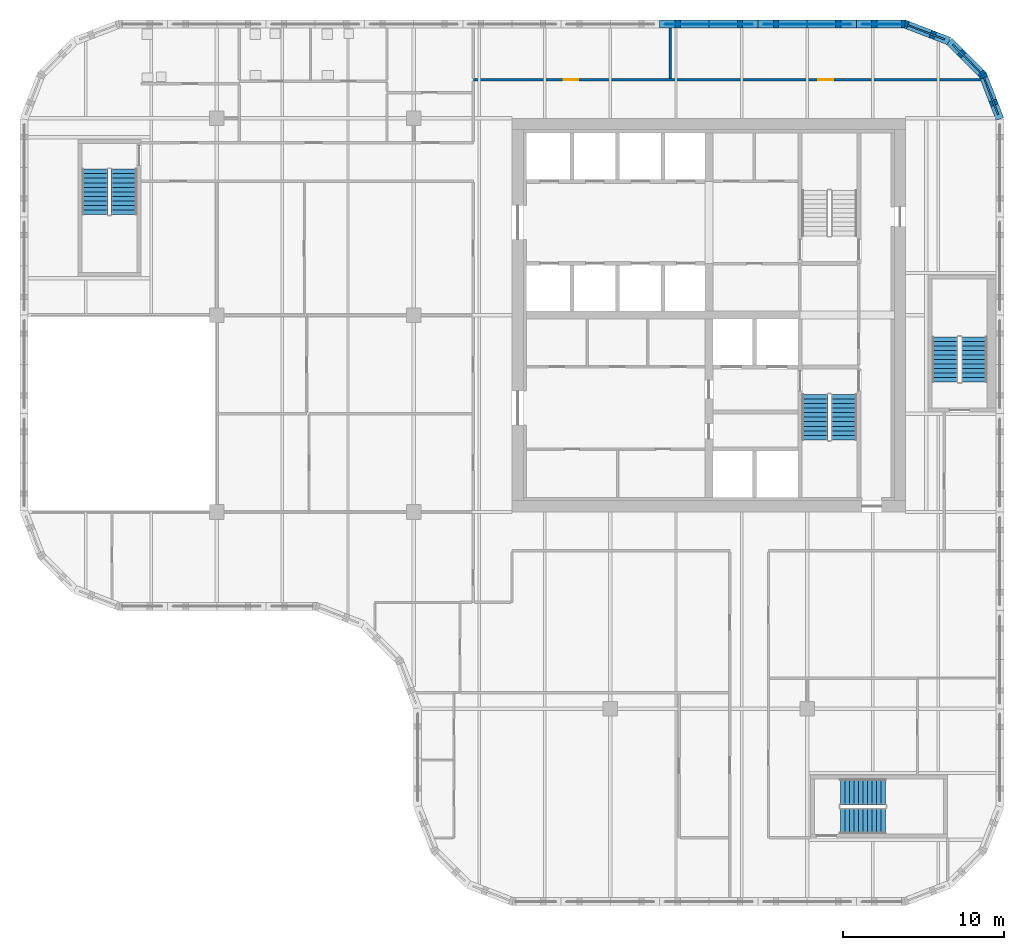
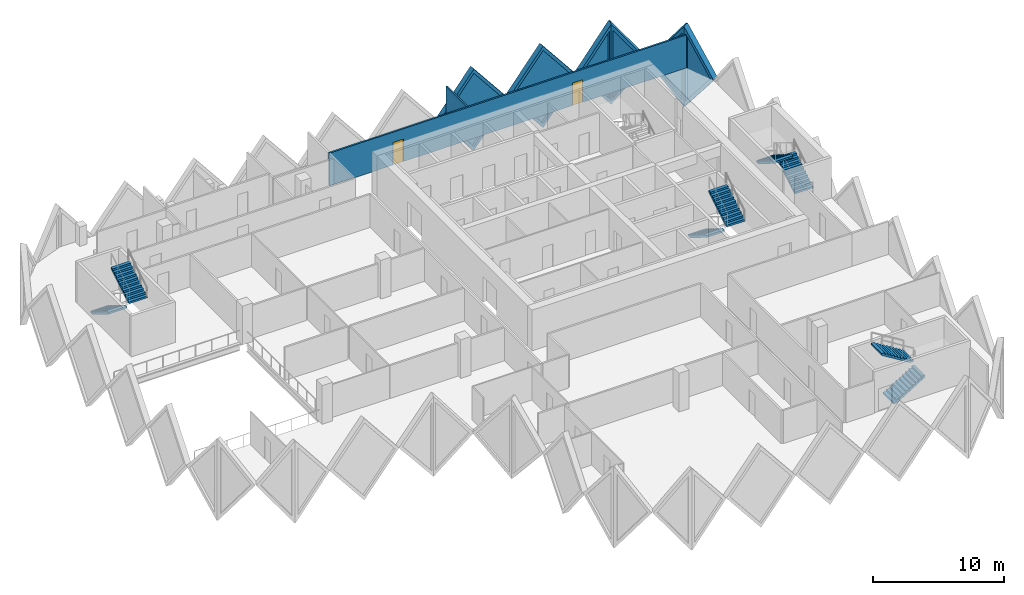
# One storey, part 10 of 13: 8 stair flights, 8 walls, 6 plates, 2 doors, 8 openings, 4 elements without a shape of their own.
"""IFC4 building model written with IfcOpenShell, lengths in metres."""

from ifc_helpers import new_model, si_unit, direction, frame, frame_2d, origin, place, context, subcontext, project, spatial, polyline, rectangle, outline, extrude, faceted_brep, source, transform, mapped, material, layer, layer_set, type_object, element, fill, aggregate, save


model = new_model("IFC4")

# Units and contexts
model_context = context("Model", 3, precision=1e-05, world=origin(), true_north=direction((0.0, 1.0)))
body_context = subcontext(model_context, "Body", "Model", "MODEL_VIEW")
ifc_project = project(units=[si_unit("LENGTHUNIT", "METRE"), si_unit("AREAUNIT", "SQUARE_METRE"), si_unit("VOLUMEUNIT", "CUBIC_METRE"), si_unit("PLANEANGLEUNIT", "RADIAN"), si_unit("MASSUNIT", "GRAM", prefix="KILO")], contexts=[model_context])

# Site, building, storey
site_placement = place(None, origin())
site = spatial("IfcSite", under=ifc_project, at=site_placement, CompositionType="ELEMENT")
building_placement = place(site_placement, origin())
building = spatial("IfcBuilding", under=site, at=building_placement, Name="Tessera Gate Towers", CompositionType="ELEMENT")
storey_placement = place(building_placement, frame((0.0, 0.0, 120.199951171875)))
storey = spatial("IfcBuildingStorey", under=building, at=storey_placement, Name="L29", CompositionType="ELEMENT", Elevation=120.199951171875)

# Wall, openings, doors
ifc_material_1 = material(Name="Gypsum board on steel studs, mineral wool", Category="steel")
ifc_layer_1 = layer(ifc_material_1, 0.14990234375)
ifc_layer_set_1 = layer_set([ifc_layer_1], Name="CORRIDOR WALL 150")
wall_type_1 = type_object("IfcWallType", Name="CORRIDOR WALL 150", PredefinedType="PARTITIONING", material=ifc_layer_set_1)
wall_1_placement = place(storey_placement, frame((28.10009765625, 51.199951171875, 0.0), z_axis=(0.0, 0.0, 1.0), x_axis=(1.0, 0.0, 0.0)))
wall_1 = element("IfcWall", 1, at=wall_1_placement, inside=storey, type_object=wall_type_1, Name="T1-L29-PW-055", PredefinedType="PARTITIONING", context=body_context, shape_type="SweptSolid", body=[
    extrude(rectangle(XDim=31.438232421875, YDim=0.14990234375, at=frame_2d((15.71923828125, 0.0))), origin(), (0.0, 0.0, 1.0), 3.067138671875),
])
shared_shape_1 = source(origin(), body_context, "Body", "SweptSolid", [
    extrude(rectangle(XDim=0.89990234375, YDim=2.10009765625, at=frame_2d((0.449951171875, 1.050048828125))), frame((0.0, 0.0849609375, 0.0), z_axis=(0.0, -1.0, 0.0), x_axis=(1.0, 0.0, 0.0)), (0.0, 0.0, 1.0), 0.169921875),
])
opening_1_placement = place(wall_1_placement, frame((5.60009765625, 0.0, 0.0)))
opening_1 = element("IfcOpeningElement", 2, at=opening_1_placement, cuts=wall_1, Name="Opening D890FD60-A10-08", PredefinedType="OPENING", context=body_context, shape_type="MappedRepresentation", body=[
    mapped(shared_shape_1, transform((0.0, 0.0, 0.0), scale=1.0)),
])
opening_2_placement = place(wall_1_placement, frame((21.39990234375, 0.0, 0.0)))
opening_2 = element("IfcOpeningElement", 3, at=opening_2_placement, cuts=wall_1, Name="Opening D890FD60-A10-09", PredefinedType="OPENING", context=body_context, shape_type="MappedRepresentation", body=[
    mapped(shared_shape_1, transform((0.0, 0.0, 0.0), scale=1.0)),
])
ifc_material_2 = material(Name="Timber door leaf in steel frame", Category="steel")
door_type = type_object("IfcDoorType", Name="CORRIDOR DOOR 900 FD60", OperationType="NOTDEFINED", PredefinedType="DOOR", material=ifc_material_2)
shared_shape_2 = source(origin(), body_context, "Body", "SweptSolid", [
    extrude(rectangle(XDim=0.89990234375, YDim=2.10009765625, at=frame_2d((0.449951171875, 1.050048828125))), frame((0.0, 0.02490234375, 0.0), z_axis=(0.0, -1.0, 0.0), x_axis=(1.0, 0.0, 0.0)), (0.0, 0.0, 1.0), 0.050048828125),
])
door_1_placement = place(opening_1_placement, origin())
door_1 = element("IfcDoor", 4, at=door_1_placement, inside=storey, type_object=door_type, Name="T1-L29-PD-027", OperationType="SINGLE_SWING_LEFT", OverallHeight=2.10009765625, OverallWidth=0.89990234375, PredefinedType="DOOR", context=body_context, shape_type="MappedRepresentation", body=[
    mapped(shared_shape_2, transform((0.0, 0.0, 0.0), scale=1.0)),
])
fill(opening_1, door_1)
door_2_placement = place(opening_2_placement, origin())
door_2 = element("IfcDoor", 5, at=door_2_placement, inside=storey, type_object=door_type, Name="T1-L29-PD-028", OperationType="SINGLE_SWING_LEFT", OverallHeight=2.10009765625, OverallWidth=0.89990234375, PredefinedType="DOOR", context=body_context, shape_type="MappedRepresentation", body=[
    mapped(shared_shape_2, transform((0.0, 0.0, 0.0), scale=1.0)),
])
fill(opening_2, door_2)

# Wall
ifc_material_3 = material(Name="Gypsum board on steel studs, mineral wool", Category="steel")
ifc_layer_2 = layer(ifc_material_3, 0.14990234375)
ifc_layer_set_2 = layer_set([ifc_layer_2], Name="TENANCY WALL 150")
wall_type_2 = type_object("IfcWallType", Name="TENANCY WALL 150", PredefinedType="PARTITIONING", material=ifc_layer_set_2)
wall_2_placement = place(storey_placement, frame((40.300048828125, 51.27587890625, 0.0), z_axis=(0.0, 0.0, 1.0), x_axis=(0.0, 1.0, 0.0)))
element("IfcWall", 6, at=wall_2_placement, inside=storey, type_object=wall_type_2, Name="T1-L29-PW-057", PredefinedType="PARTITIONING", context=body_context, shape_type="SweptSolid", body=[
    extrude(rectangle(XDim=3.1240234375, YDim=0.14990234375, at=frame_2d((1.56201171875, 0.0))), origin(), (0.0, 0.0, 1.0), 3.067138671875),
])

# Wall, opening, plate
ifc_material_4 = material(Name="Precast concrete C60/75 white", Category="concrete")
ifc_layer_3 = layer(ifc_material_4, 0.5)
ifc_layer_set_3 = layer_set([ifc_layer_3], Name="TS1 tessera")
wall_type_3 = type_object("IfcWallType", Name="TS1 tessera", PredefinedType="SOLIDWALL", material=ifc_layer_set_3)
shared_shape_3 = source(origin(), body_context, "Body", "SweptSolid", [
    extrude(outline(polyline([(3.050048828125, 0.0), (6.10009765625, 3.800048828125), (3.050048828125, 7.60009765625), (0.0, 3.800048828125), (3.050048828125, 0.0)])), frame((0.0, 0.25, 0.0), z_axis=(0.0, -1.0, 0.0), x_axis=(1.0, 0.0, 0.0)), (0.0, 0.0, 1.0), 0.5),
])
wall_3_placement = place(storey_placement, frame((51.85009765625, 54.64990234375, -3.800048828125), z_axis=(0.0, 0.0, 1.0), x_axis=(-1.0, 0.0, 0.0)))
wall_3 = element("IfcWall", 7, at=wall_3_placement, inside=storey, type_object=wall_type_3, Name="Precast tessera T1 TS1-0470", PredefinedType="SOLIDWALL", context=body_context, shape_type="MappedRepresentation", body=[
    mapped(shared_shape_3, transform((0.0, 0.0, 0.0), scale=1.0)),
])
shared_shape_4 = source(origin(), body_context, "Body", "SweptSolid", [
    extrude(outline(polyline([(3.050048828125, 0.3994140625), (5.779541015625, 3.800048828125), (3.050048828125, 7.20068359375), (0.320556640625, 3.800048828125), (3.050048828125, 0.3994140625)])), frame((0.0, 0.260009765625, 0.0), z_axis=(0.0, -1.0, 0.0), x_axis=(1.0, 0.0, 0.0)), (0.0, 0.0, 1.0), 0.52001953125),
])
opening_3_placement = place(wall_3_placement, origin())
opening_3 = element("IfcOpeningElement", 8, at=opening_3_placement, cuts=wall_3, Name="Opening T1-PL2-0960", PredefinedType="OPENING", context=body_context, shape_type="MappedRepresentation", body=[
    mapped(shared_shape_4, transform((0.0, 0.0, 0.0), scale=1.0)),
])
ifc_material_5 = material(Name="Low-e laminated glass", Category="glass")
ifc_layer_4 = layer(ifc_material_5, 0.06005859375)
ifc_layer_set_4 = layer_set([ifc_layer_4], Name="PL2 rhombic pane")
plate_type = type_object("IfcPlateType", Name="PL2 rhombic pane", PredefinedType="SHEET", material=ifc_layer_set_4)
shared_shape_5 = source(origin(), body_context, "Body", "SweptSolid", [
    extrude(outline(polyline([(3.050048828125, 0.3994140625), (5.779541015625, 3.800048828125), (3.050048828125, 7.20068359375), (0.320556640625, 3.800048828125), (3.050048828125, 0.3994140625)])), frame((0.0, 0.030029296875, 0.0), z_axis=(0.0, -1.0, 0.0), x_axis=(1.0, 0.0, 0.0)), (0.0, 0.0, 1.0), 0.06005859375),
])
plate_1_placement = place(opening_3_placement, origin())
plate_1 = element("IfcPlate", 9, at=plate_1_placement, inside=storey, type_object=plate_type, Name="Glass pane T1 PL2-0960", PredefinedType="SHEET", context=body_context, shape_type="MappedRepresentation", body=[
    mapped(shared_shape_5, transform((0.0, 0.0, 0.0), scale=1.0)),
])
fill(opening_3, plate_1)

wall_4_placement = place(storey_placement, frame((45.75, 54.64990234375, -3.800048828125), z_axis=(0.0, 0.0, 1.0), x_axis=(-1.0, 0.0, 0.0)))
wall_4 = element("IfcWall", 10, at=wall_4_placement, inside=storey, type_object=wall_type_3, Name="Precast tessera T1 TS1-0471", PredefinedType="SOLIDWALL", context=body_context, shape_type="MappedRepresentation", body=[
    mapped(shared_shape_3, transform((0.0, 0.0, 0.0), scale=1.0)),
])
opening_4_placement = place(wall_4_placement, origin())
opening_4 = element("IfcOpeningElement", 11, at=opening_4_placement, cuts=wall_4, Name="Opening T1-PL2-0961", PredefinedType="OPENING", context=body_context, shape_type="MappedRepresentation", body=[
    mapped(shared_shape_4, transform((0.0, 0.0, 0.0), scale=1.0)),
])
plate_2_placement = place(opening_4_placement, origin())
plate_2 = element("IfcPlate", 12, at=plate_2_placement, inside=storey, type_object=plate_type, Name="Glass pane T1 PL2-0961", PredefinedType="SHEET", context=body_context, shape_type="MappedRepresentation", body=[
    mapped(shared_shape_5, transform((0.0, 0.0, 0.0), scale=1.0)),
])
fill(opening_4, plate_2)

ifc_material_6 = material(Name="Precast concrete C60/75 white", Category="concrete")
ifc_layer_5 = layer(ifc_material_6, 0.5)
ifc_layer_set_5 = layer_set([ifc_layer_5], Name="TS3 corner tessera")
wall_type_4 = type_object("IfcWallType", Name="TS3 corner tessera", PredefinedType="SOLIDWALL", material=ifc_layer_set_5)
shared_shape_6 = source(origin(), body_context, "Body", "Brep", [
    faceted_brep([(2.950439453125, -0.25, 0.0), (2.9970703125, -0.25, 0.05908203125), (2.9970703125, -0.25, 7.541015625), (2.950439453125, -0.25, 7.60009765625), (0.0, -0.25, 3.800048828125), (0.052978515625, 0.25, 3.8681640625), (2.904052734375, 0.25, 7.540283203125), (2.904052734375, 0.25, 0.059814453125), (0.052978515625, 0.25, 3.73193359375), (2.950439453125, 0.00048828125, 0.0), (2.950439453125, 0.00048828125, 7.60009765625), (0.0, 0.0, 3.800048828125)], [[[0, 1, 2, 3, 4]], [[5, 6, 7, 8]], [[1, 0, 9]], [[10, 3, 2]], [[6, 5, 11, 4, 3, 10]], [[8, 7, 9, 0, 4, 11]], [[8, 11, 5]], [[1, 9, 7, 6, 10, 2]]]),
])
wall_5_placement = place(storey_placement, frame((57.606201171875, 53.588134765625, -3.800048828125), z_axis=(0.0, 0.0, 1.0), x_axis=(-0.932990326376, 0.359901446078, 0.0)))
wall_5 = element("IfcWall", 13, at=wall_5_placement, inside=storey, type_object=wall_type_4, Name="Precast corner tessera T1 TS3-0657", PredefinedType="SOLIDWALL", context=body_context, shape_type="MappedRepresentation", body=[
    mapped(shared_shape_6, transform((0.0, 0.0, 0.0), scale=1.0)),
])
shared_shape_7 = source(origin(), body_context, "Body", "SweptSolid", [
    extrude(outline(polyline([(2.75048828125, 6.934814453125), (0.31640625, 3.800048828125), (2.75048828125, 0.665283203125), (2.75048828125, 6.934814453125)])), frame((0.0, 0.260009765625, 0.0), z_axis=(0.0, -1.0, 0.0), x_axis=(1.0, 0.0, 0.0)), (0.0, 0.0, 1.0), 0.52001953125),
])
opening_5_placement = place(wall_5_placement, origin())
opening_5 = element("IfcOpeningElement", 14, at=opening_5_placement, cuts=wall_5, Name="Opening T1-PL2-0958", PredefinedType="OPENING", context=body_context, shape_type="MappedRepresentation", body=[
    mapped(shared_shape_7, transform((0.0, 0.0, 0.0), scale=1.0)),
])
shared_shape_8 = source(origin(), body_context, "Body", "SweptSolid", [
    extrude(outline(polyline([(2.75048828125, 6.934814453125), (0.31640625, 3.800048828125), (2.75048828125, 0.665283203125), (2.75048828125, 6.934814453125)])), frame((0.0, 0.030029296875, 0.0), z_axis=(0.0, -1.0, 0.0), x_axis=(1.0, 0.0, 0.0)), (0.0, 0.0, 1.0), 0.06005859375),
])
plate_3_placement = place(opening_5_placement, origin())
plate_3 = element("IfcPlate", 15, at=plate_3_placement, inside=storey, type_object=plate_type, Name="Glass pane T1 PL2-0958", PredefinedType="SHEET", context=body_context, shape_type="MappedRepresentation", body=[
    mapped(shared_shape_8, transform((0.0, 0.0, 0.0), scale=1.0)),
])
fill(opening_5, plate_3)

shared_shape_9 = source(origin(), body_context, "Body", "Brep", [
    faceted_brep([(0.046630859375, -0.25, 0.0), (3.050048828125, -0.25, 3.800048828125), (0.046630859375, -0.25, 7.60009765625), (0.0, -0.25, 7.5400390625), (0.0, -0.25, 0.06005859375), (0.09326171875, 0.25, 7.541259765625), (3.050048828125, 0.25, 3.800048828125), (0.09326171875, 0.25, 0.058837890625), (0.046630859375, 0.0, 0.0), (0.046630859375, 0.0, 7.60009765625)], [[[0, 1, 2, 3, 4]], [[5, 6, 7]], [[7, 6, 1, 0, 8]], [[6, 5, 9, 2, 1]], [[3, 2, 9]], [[8, 0, 4]], [[7, 8, 4, 3, 9, 5]]]),
])
wall_6_placement = place(storey_placement, frame((54.900146484375, 54.64990234375, -3.800048828125), z_axis=(0.0, 0.0, 1.0), x_axis=(-1.0, 0.0, 0.0)))
wall_6 = element("IfcWall", 16, at=wall_6_placement, inside=storey, type_object=wall_type_4, Name="Precast corner tessera T1 TS3-0658", PredefinedType="SOLIDWALL", context=body_context, shape_type="MappedRepresentation", body=[
    mapped(shared_shape_9, transform((0.0, 0.0, 0.0), scale=1.0)),
])
shared_shape_10 = source(origin(), body_context, "Body", "SweptSolid", [
    extrude(outline(polyline([(0.24658203125, 0.65625), (2.7314453125, 3.800048828125), (0.24658203125, 6.94384765625), (0.24658203125, 0.65625)])), frame((0.0, 0.260009765625, 0.0), z_axis=(0.0, -1.0, 0.0), x_axis=(1.0, 0.0, 0.0)), (0.0, 0.0, 1.0), 0.52001953125),
])
opening_6_placement = place(wall_6_placement, origin())
opening_6 = element("IfcOpeningElement", 17, at=opening_6_placement, cuts=wall_6, Name="Opening T1-PL2-0959", PredefinedType="OPENING", context=body_context, shape_type="MappedRepresentation", body=[
    mapped(shared_shape_10, transform((0.0, 0.0, 0.0), scale=1.0)),
])
shared_shape_11 = source(origin(), body_context, "Body", "SweptSolid", [
    extrude(outline(polyline([(0.24658203125, 0.65625), (2.7314453125, 3.800048828125), (0.24658203125, 6.94384765625), (0.24658203125, 0.65625)])), frame((0.0, 0.030029296875, 0.0), z_axis=(0.0, -1.0, 0.0), x_axis=(1.0, 0.0, 0.0)), (0.0, 0.0, 1.0), 0.06005859375),
])
plate_4_placement = place(opening_6_placement, origin())
plate_4 = element("IfcPlate", 18, at=plate_4_placement, inside=storey, type_object=plate_type, Name="Glass pane T1 PL2-0959", PredefinedType="SHEET", context=body_context, shape_type="MappedRepresentation", body=[
    mapped(shared_shape_11, transform((0.0, 0.0, 0.0), scale=1.0)),
])
fill(opening_6, plate_4)

shared_shape_12 = source(origin(), body_context, "Body", "Brep", [
    faceted_brep([(2.950439453125, -0.25, 0.0), (3.00341796875, -0.25, 0.068359375), (3.00341796875, -0.25, 7.53173828125), (2.950439453125, -0.25, 7.60009765625), (0.0, -0.25, 3.800048828125), (0.046630859375, 0.25, 3.860107421875), (2.897705078125, 0.25, 7.531982421875), (2.897705078125, 0.25, 0.068115234375), (0.046630859375, 0.25, 3.739990234375), (2.950439453125, 0.00048828125, 0.0), (2.950439453125, 0.00048828125, 7.60009765625), (0.0, 0.0, 3.800048828125)], [[[0, 1, 2, 3, 4]], [[5, 6, 7, 8]], [[1, 0, 9]], [[10, 3, 2]], [[6, 5, 11, 4, 3, 10]], [[8, 7, 9, 0, 4, 11]], [[8, 11, 5]], [[1, 9, 7, 6, 10, 2]]]),
])
wall_7_placement = place(storey_placement, frame((60.75, 48.75341796875, -3.800048828125), z_axis=(0.0, 0.0, 1.0), x_axis=(-0.35992665181, 0.932980602862, 0.0)))
wall_7 = element("IfcWall", 19, at=wall_7_placement, inside=storey, type_object=wall_type_4, Name="Precast corner tessera T1 TS3-0655", PredefinedType="SOLIDWALL", context=body_context, shape_type="MappedRepresentation", body=[
    mapped(shared_shape_12, transform((0.0, 0.0, 0.0), scale=1.0)),
])
opening_7_placement = place(wall_7_placement, origin())
opening_7 = element("IfcOpeningElement", 20, at=opening_7_placement, cuts=wall_7, Name="Opening T1-PL2-0956", PredefinedType="OPENING", context=body_context, shape_type="MappedRepresentation", body=[
    mapped(shared_shape_7, transform((0.0, 0.0, 0.0), scale=1.0)),
])
plate_5_placement = place(opening_7_placement, origin())
plate_5 = element("IfcPlate", 21, at=plate_5_placement, inside=storey, type_object=plate_type, Name="Glass pane T1 PL2-0956", PredefinedType="SHEET", context=body_context, shape_type="MappedRepresentation", body=[
    mapped(shared_shape_8, transform((0.0, 0.0, 0.0), scale=1.0)),
])
fill(opening_7, plate_5)

shared_shape_13 = source(origin(), body_context, "Body", "Brep", [
    faceted_brep([(0.052978515625, -0.25, 0.0), (2.9970703125, -0.25, 3.800048828125), (0.052978515625, -0.25, 7.60009765625), (0.0, -0.25, 7.531982421875), (0.0, -0.25, 0.068115234375), (0.10595703125, 0.25, 7.53173828125), (2.944091796875, 0.25, 3.8681640625), (2.944091796875, 0.25, 3.73193359375), (0.10595703125, 0.25, 0.068359375), (2.9970703125, 0.000244140625, 3.800048828125), (0.052978515625, 0.0, 0.0), (0.052978515625, 0.0, 7.60009765625)], [[[0, 1, 2, 3, 4]], [[5, 6, 7, 8]], [[8, 7, 9, 1, 0, 10]], [[6, 5, 11, 2, 1, 9]], [[3, 2, 11]], [[10, 0, 4]], [[8, 10, 4, 3, 11, 5]], [[9, 7, 6]]]),
])
wall_8_placement = place(storey_placement, frame((59.7255859375, 51.46875, -3.800048828125), z_axis=(0.0, 0.0, 1.0), x_axis=(-0.707106781187, 0.707106781187, 0.0)))
wall_8 = element("IfcWall", 22, at=wall_8_placement, inside=storey, type_object=wall_type_4, Name="Precast corner tessera T1 TS3-0656", PredefinedType="SOLIDWALL", context=body_context, shape_type="MappedRepresentation", body=[
    mapped(shared_shape_13, transform((0.0, 0.0, 0.0), scale=1.0)),
])
shared_shape_14 = source(origin(), body_context, "Body", "SweptSolid", [
    extrude(outline(polyline([(0.2529296875, 0.66650390625), (2.680908203125, 3.800048828125), (0.2529296875, 6.933837890625), (0.2529296875, 0.66650390625)])), frame((0.0, 0.260009765625, 0.0), z_axis=(0.0, -1.0, 0.0), x_axis=(1.0, 0.0, 0.0)), (0.0, 0.0, 1.0), 0.52001953125),
])
opening_8_placement = place(wall_8_placement, origin())
opening_8 = element("IfcOpeningElement", 23, at=opening_8_placement, cuts=wall_8, Name="Opening T1-PL2-0957", PredefinedType="OPENING", context=body_context, shape_type="MappedRepresentation", body=[
    mapped(shared_shape_14, transform((0.0, 0.0, 0.0), scale=1.0)),
])
shared_shape_15 = source(origin(), body_context, "Body", "SweptSolid", [
    extrude(outline(polyline([(0.2529296875, 0.66650390625), (2.680908203125, 3.800048828125), (0.2529296875, 6.933837890625), (0.2529296875, 0.66650390625)])), frame((0.0, 0.030029296875, 0.0), z_axis=(0.0, -1.0, 0.0), x_axis=(1.0, 0.0, 0.0)), (0.0, 0.0, 1.0), 0.06005859375),
])
plate_6_placement = place(opening_8_placement, origin())
plate_6 = element("IfcPlate", 24, at=plate_6_placement, inside=storey, type_object=plate_type, Name="Glass pane T1 PL2-0957", PredefinedType="SHEET", context=body_context, shape_type="MappedRepresentation", body=[
    mapped(shared_shape_15, transform((0.0, 0.0, 0.0), scale=1.0)),
])
fill(opening_8, plate_6)

# Stair, stair flights
ifc_material_7 = material(Name="Concrete C40/50", Category="concrete")
stair_type_1 = type_object("IfcStairType", Name="EXIT STAIR ST1 1600", PredefinedType="HALF_TURN_STAIR", material=ifc_material_7)
stair_1_placement = place(storey_placement, origin())
stair_1 = element("IfcStair", 25, at=stair_1_placement, inside=storey, type_object=stair_type_1, Name="L29 Protected Exit Stair ST1", PredefinedType="HALF_TURN_STAIR")
ifc_material_8 = material(Name="Concrete C40/50", Category="concrete")
stair_flight_type_1 = type_object("IfcStairFlightType", Name="EXIT STAIR FLIGHT ST1 1600", PredefinedType="STRAIGHT", material=ifc_material_8)
stair_flight_1_placement = place(storey_placement, frame((49.27490234375, 31.675048828125, 0.0), z_axis=(0.0, 0.0, 1.0), x_axis=(0.0, -1.0, 0.0)))
stair_flight_1 = element("IfcStairFlight", 26, at=stair_flight_1_placement, type_object=stair_flight_type_1, Name="ST1 flight 1", NumberOfRisers=11, NumberOfTreads=10, PredefinedType="STRAIGHT", RiserHeight=0.172727273, TreadLength=0.28, context=body_context, shape_type="SweptSolid", body=[
    extrude(outline(polyline([(0.0, 0.0), (0.0, 0.172607421875), (0.280029296875, 0.172607421875), (0.280029296875, 0.345458984375), (0.56005859375, 0.345458984375), (0.56005859375, 0.51806640625), (0.840087890625, 0.51806640625), (0.840087890625, 0.69091796875), (1.1201171875, 0.69091796875), (1.1201171875, 0.863525390625), (1.39990234375, 0.863525390625), (1.39990234375, 1.036376953125), (1.679931640625, 1.036376953125), (1.679931640625, 1.208984375), (1.9599609375, 1.208984375), (1.9599609375, 1.3818359375), (2.239990234375, 1.3818359375), (2.239990234375, 1.554443359375), (2.52001953125, 1.554443359375), (2.52001953125, 1.727294921875), (2.800048828125, 1.727294921875), (2.800048828125, 1.89990234375), (2.800048828125, 1.551025390625), (0.285400390625, 0.0), (0.0, 0.0)])), frame((0.0, 0.800048828125, 0.0), z_axis=(0.0, -1.0, 0.0), x_axis=(1.0, 0.0, 0.0)), (0.0, 0.0, 1.0), 1.60009765625),
])
stair_flight_2_placement = place(storey_placement, frame((51.074951171875, 28.875, 1.900146484375), z_axis=(0.0, 0.0, 1.0), x_axis=(0.0, 1.0, 0.0)))
stair_flight_2 = element("IfcStairFlight", 27, at=stair_flight_2_placement, type_object=stair_flight_type_1, Name="ST1 flight 2", NumberOfRisers=11, NumberOfTreads=10, PredefinedType="STRAIGHT", RiserHeight=0.172727273, TreadLength=0.28, context=body_context, shape_type="SweptSolid", body=[
    extrude(outline(polyline([(0.0, 0.0), (0.0, 0.172607421875), (0.280029296875, 0.172607421875), (0.280029296875, 0.345458984375), (0.56005859375, 0.345458984375), (0.56005859375, 0.51806640625), (0.840087890625, 0.51806640625), (0.840087890625, 0.69091796875), (1.1201171875, 0.69091796875), (1.1201171875, 0.863525390625), (1.39990234375, 0.863525390625), (1.39990234375, 1.036376953125), (1.679931640625, 1.036376953125), (1.679931640625, 1.208984375), (1.9599609375, 1.208984375), (1.9599609375, 1.3818359375), (2.239990234375, 1.3818359375), (2.239990234375, 1.554443359375), (2.52001953125, 1.554443359375), (2.52001953125, 1.727294921875), (2.800048828125, 1.727294921875), (2.800048828125, 1.89990234375), (2.800048828125, 1.551025390625), (0.285400390625, 0.0), (0.0, 0.0)])), frame((0.0, 0.800048828125, 0.0), z_axis=(0.0, -1.0, 0.0), x_axis=(1.0, 0.0, 0.0)), (0.0, 0.0, 1.0), 1.60009765625),
])
aggregate(stair_1, [stair_flight_1, stair_flight_2])

ifc_material_9 = material(Name="Concrete C40/50", Category="concrete")
stair_type_2 = type_object("IfcStairType", Name="EXIT STAIR ST3 1600", PredefinedType="HALF_TURN_STAIR", material=ifc_material_9)
stair_2_placement = place(storey_placement, origin())
stair_2 = element("IfcStair", 28, at=stair_2_placement, inside=storey, type_object=stair_type_2, Name="L29 West Exit Stair ST3", PredefinedType="HALF_TURN_STAIR")
ifc_material_10 = material(Name="Concrete C40/50", Category="concrete")
stair_flight_type_2 = type_object("IfcStairFlightType", Name="EXIT STAIR FLIGHT ST3 1600", PredefinedType="STRAIGHT", material=ifc_material_10)
stair_flight_3_placement = place(storey_placement, frame((4.64990234375, 45.64990234375, 0.0), z_axis=(0.0, 0.0, 1.0), x_axis=(0.0, -1.0, 0.0)))
stair_flight_3 = element("IfcStairFlight", 29, at=stair_flight_3_placement, type_object=stair_flight_type_2, Name="ST3 flight 1", NumberOfRisers=11, NumberOfTreads=10, PredefinedType="STRAIGHT", RiserHeight=0.172727273, TreadLength=0.28, context=body_context, shape_type="SweptSolid", body=[
    extrude(outline(polyline([(0.0, 0.0), (0.0, 0.172607421875), (0.280029296875, 0.172607421875), (0.280029296875, 0.345458984375), (0.56005859375, 0.345458984375), (0.56005859375, 0.51806640625), (0.840087890625, 0.51806640625), (0.840087890625, 0.69091796875), (1.1201171875, 0.69091796875), (1.1201171875, 0.863525390625), (1.39990234375, 0.863525390625), (1.39990234375, 1.036376953125), (1.679931640625, 1.036376953125), (1.679931640625, 1.208984375), (1.9599609375, 1.208984375), (1.9599609375, 1.3818359375), (2.239990234375, 1.3818359375), (2.239990234375, 1.554443359375), (2.52001953125, 1.554443359375), (2.52001953125, 1.727294921875), (2.800048828125, 1.727294921875), (2.800048828125, 1.89990234375), (2.800048828125, 1.551025390625), (0.285400390625, 0.0), (0.0, 0.0)])), frame((0.0, 0.800048828125, 0.0), z_axis=(0.0, -1.0, 0.0), x_axis=(1.0, 0.0, 0.0)), (0.0, 0.0, 1.0), 1.60009765625),
])
stair_flight_4_placement = place(storey_placement, frame((6.449951171875, 42.85009765625, 1.900146484375), z_axis=(0.0, 0.0, 1.0), x_axis=(0.0, 1.0, 0.0)))
stair_flight_4 = element("IfcStairFlight", 30, at=stair_flight_4_placement, type_object=stair_flight_type_2, Name="ST3 flight 2", NumberOfRisers=11, NumberOfTreads=10, PredefinedType="STRAIGHT", RiserHeight=0.172727273, TreadLength=0.28, context=body_context, shape_type="SweptSolid", body=[
    extrude(outline(polyline([(0.0, 0.0), (0.0, 0.172607421875), (0.280029296875, 0.172607421875), (0.280029296875, 0.345458984375), (0.56005859375, 0.345458984375), (0.56005859375, 0.51806640625), (0.840087890625, 0.51806640625), (0.840087890625, 0.69091796875), (1.1201171875, 0.69091796875), (1.1201171875, 0.863525390625), (1.39990234375, 0.863525390625), (1.39990234375, 1.036376953125), (1.679931640625, 1.036376953125), (1.679931640625, 1.208984375), (1.9599609375, 1.208984375), (1.9599609375, 1.3818359375), (2.239990234375, 1.3818359375), (2.239990234375, 1.554443359375), (2.52001953125, 1.554443359375), (2.52001953125, 1.727294921875), (2.800048828125, 1.727294921875), (2.800048828125, 1.89990234375), (2.800048828125, 1.551025390625), (0.285400390625, 0.0), (0.0, 0.0)])), frame((0.0, 0.800048828125, 0.0), z_axis=(0.0, -1.0, 0.0), x_axis=(1.0, 0.0, 0.0)), (0.0, 0.0, 1.0), 1.60009765625),
])
aggregate(stair_2, [stair_flight_3, stair_flight_4])

ifc_material_11 = material(Name="Concrete C40/50", Category="concrete")
stair_type_3 = type_object("IfcStairType", Name="EXIT STAIR ST4 1600", PredefinedType="HALF_TURN_STAIR", material=ifc_material_11)
stair_3_placement = place(storey_placement, origin())
stair_3 = element("IfcStair", 31, at=stair_3_placement, inside=storey, type_object=stair_type_3, Name="L29 South Exit Stair ST4", PredefinedType="HALF_TURN_STAIR")
ifc_material_12 = material(Name="Concrete C40/50", Category="concrete")
stair_flight_type_3 = type_object("IfcStairFlightType", Name="EXIT STAIR FLIGHT ST4 1600", PredefinedType="STRAIGHT", material=ifc_material_12)
stair_flight_5_placement = place(storey_placement, frame((50.85009765625, 5.25, 0.0), z_axis=(0.0, 0.0, 1.0), x_axis=(1.0, 0.0, 0.0)))
stair_flight_5 = element("IfcStairFlight", 32, at=stair_flight_5_placement, type_object=stair_flight_type_3, Name="ST4 flight 1", NumberOfRisers=11, NumberOfTreads=10, PredefinedType="STRAIGHT", RiserHeight=0.172727273, TreadLength=0.28, context=body_context, shape_type="SweptSolid", body=[
    extrude(outline(polyline([(0.0, 0.0), (0.0, 0.172607421875), (0.280029296875, 0.172607421875), (0.280029296875, 0.345458984375), (0.56005859375, 0.345458984375), (0.56005859375, 0.51806640625), (0.840087890625, 0.51806640625), (0.840087890625, 0.69091796875), (1.1201171875, 0.69091796875), (1.1201171875, 0.863525390625), (1.39990234375, 0.863525390625), (1.39990234375, 1.036376953125), (1.679931640625, 1.036376953125), (1.679931640625, 1.208984375), (1.9599609375, 1.208984375), (1.9599609375, 1.3818359375), (2.239990234375, 1.3818359375), (2.239990234375, 1.554443359375), (2.52001953125, 1.554443359375), (2.52001953125, 1.727294921875), (2.800048828125, 1.727294921875), (2.800048828125, 1.89990234375), (2.800048828125, 1.551025390625), (0.285400390625, 0.0), (0.0, 0.0)])), frame((0.0, 0.800048828125, 0.0), z_axis=(0.0, -1.0, 0.0), x_axis=(1.0, 0.0, 0.0)), (0.0, 0.0, 1.0), 1.60009765625),
])
stair_flight_6_placement = place(storey_placement, frame((53.64990234375, 7.050048828125, 1.900146484375), z_axis=(0.0, 0.0, 1.0), x_axis=(-1.0, 0.0, 0.0)))
stair_flight_6 = element("IfcStairFlight", 33, at=stair_flight_6_placement, type_object=stair_flight_type_3, Name="ST4 flight 2", NumberOfRisers=11, NumberOfTreads=10, PredefinedType="STRAIGHT", RiserHeight=0.172727273, TreadLength=0.28, context=body_context, shape_type="SweptSolid", body=[
    extrude(outline(polyline([(0.0, 0.0), (0.0, 0.172607421875), (0.280029296875, 0.172607421875), (0.280029296875, 0.345458984375), (0.56005859375, 0.345458984375), (0.56005859375, 0.51806640625), (0.840087890625, 0.51806640625), (0.840087890625, 0.69091796875), (1.1201171875, 0.69091796875), (1.1201171875, 0.863525390625), (1.39990234375, 0.863525390625), (1.39990234375, 1.036376953125), (1.679931640625, 1.036376953125), (1.679931640625, 1.208984375), (1.9599609375, 1.208984375), (1.9599609375, 1.3818359375), (2.239990234375, 1.3818359375), (2.239990234375, 1.554443359375), (2.52001953125, 1.554443359375), (2.52001953125, 1.727294921875), (2.800048828125, 1.727294921875), (2.800048828125, 1.89990234375), (2.800048828125, 1.551025390625), (0.285400390625, 0.0), (0.0, 0.0)])), frame((0.0, 0.800048828125, 0.0), z_axis=(0.0, -1.0, 0.0), x_axis=(1.0, 0.0, 0.0)), (0.0, 0.0, 1.0), 1.60009765625),
])
aggregate(stair_3, [stair_flight_5, stair_flight_6])

ifc_material_13 = material(Name="Concrete C40/50", Category="concrete")
stair_type_4 = type_object("IfcStairType", Name="EXIT STAIR ST5 1600", PredefinedType="HALF_TURN_STAIR", material=ifc_material_13)
stair_4_placement = place(storey_placement, origin())
stair_4 = element("IfcStair", 34, at=stair_4_placement, inside=storey, type_object=stair_type_4, Name="L29 East Exit Stair ST5", PredefinedType="HALF_TURN_STAIR")
ifc_material_14 = material(Name="Concrete C40/50", Category="concrete")
stair_flight_type_4 = type_object("IfcStairFlightType", Name="EXIT STAIR FLIGHT ST5 1600", PredefinedType="STRAIGHT", material=ifc_material_14)
stair_flight_7_placement = place(storey_placement, frame((59.14990234375, 32.449951171875, 0.0), z_axis=(0.0, 0.0, 1.0), x_axis=(0.0, 1.0, 0.0)))
stair_flight_7 = element("IfcStairFlight", 35, at=stair_flight_7_placement, type_object=stair_flight_type_4, Name="ST5 flight 1", NumberOfRisers=11, NumberOfTreads=10, PredefinedType="STRAIGHT", RiserHeight=0.172727273, TreadLength=0.28, context=body_context, shape_type="SweptSolid", body=[
    extrude(outline(polyline([(0.0, 0.0), (0.0, 0.172607421875), (0.280029296875, 0.172607421875), (0.280029296875, 0.345458984375), (0.56005859375, 0.345458984375), (0.56005859375, 0.51806640625), (0.840087890625, 0.51806640625), (0.840087890625, 0.69091796875), (1.1201171875, 0.69091796875), (1.1201171875, 0.863525390625), (1.39990234375, 0.863525390625), (1.39990234375, 1.036376953125), (1.679931640625, 1.036376953125), (1.679931640625, 1.208984375), (1.9599609375, 1.208984375), (1.9599609375, 1.3818359375), (2.239990234375, 1.3818359375), (2.239990234375, 1.554443359375), (2.52001953125, 1.554443359375), (2.52001953125, 1.727294921875), (2.800048828125, 1.727294921875), (2.800048828125, 1.89990234375), (2.800048828125, 1.551025390625), (0.285400390625, 0.0), (0.0, 0.0)])), frame((0.0, 0.800048828125, 0.0), z_axis=(0.0, -1.0, 0.0), x_axis=(1.0, 0.0, 0.0)), (0.0, 0.0, 1.0), 1.60009765625),
])
stair_flight_8_placement = place(storey_placement, frame((57.35009765625, 35.25, 1.900146484375), z_axis=(0.0, 0.0, 1.0), x_axis=(0.0, -1.0, 0.0)))
stair_flight_8 = element("IfcStairFlight", 36, at=stair_flight_8_placement, type_object=stair_flight_type_4, Name="ST5 flight 2", NumberOfRisers=11, NumberOfTreads=10, PredefinedType="STRAIGHT", RiserHeight=0.172727273, TreadLength=0.28, context=body_context, shape_type="SweptSolid", body=[
    extrude(outline(polyline([(0.0, 0.0), (0.0, 0.172607421875), (0.280029296875, 0.172607421875), (0.280029296875, 0.345458984375), (0.56005859375, 0.345458984375), (0.56005859375, 0.51806640625), (0.840087890625, 0.51806640625), (0.840087890625, 0.69091796875), (1.1201171875, 0.69091796875), (1.1201171875, 0.863525390625), (1.39990234375, 0.863525390625), (1.39990234375, 1.036376953125), (1.679931640625, 1.036376953125), (1.679931640625, 1.208984375), (1.9599609375, 1.208984375), (1.9599609375, 1.3818359375), (2.239990234375, 1.3818359375), (2.239990234375, 1.554443359375), (2.52001953125, 1.554443359375), (2.52001953125, 1.727294921875), (2.800048828125, 1.727294921875), (2.800048828125, 1.89990234375), (2.800048828125, 1.551025390625), (0.285400390625, 0.0), (0.0, 0.0)])), frame((0.0, 0.800048828125, 0.0), z_axis=(0.0, -1.0, 0.0), x_axis=(1.0, 0.0, 0.0)), (0.0, 0.0, 1.0), 1.60009765625),
])
aggregate(stair_4, [stair_flight_7, stair_flight_8])

save(model, "model.ifc")
